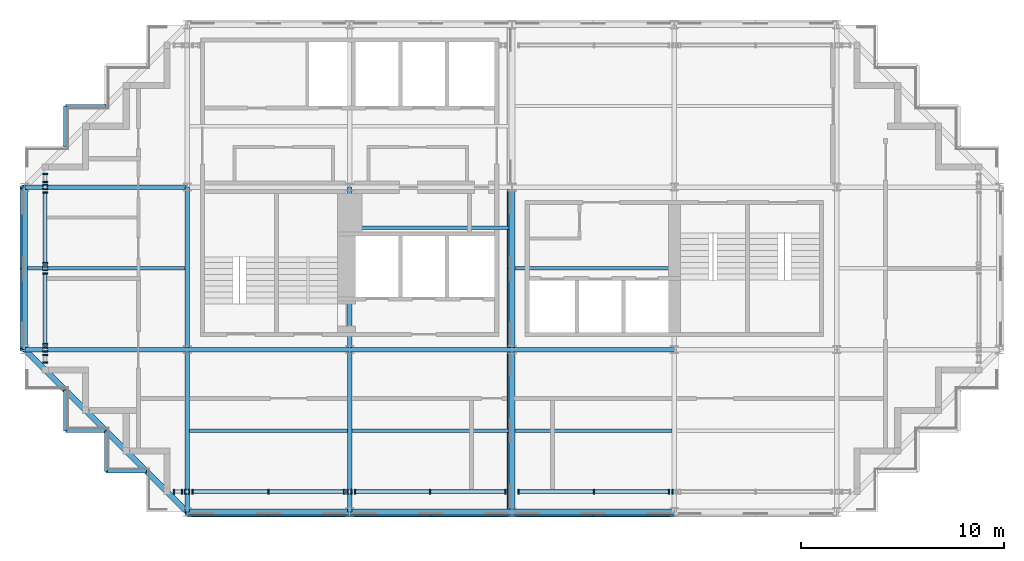
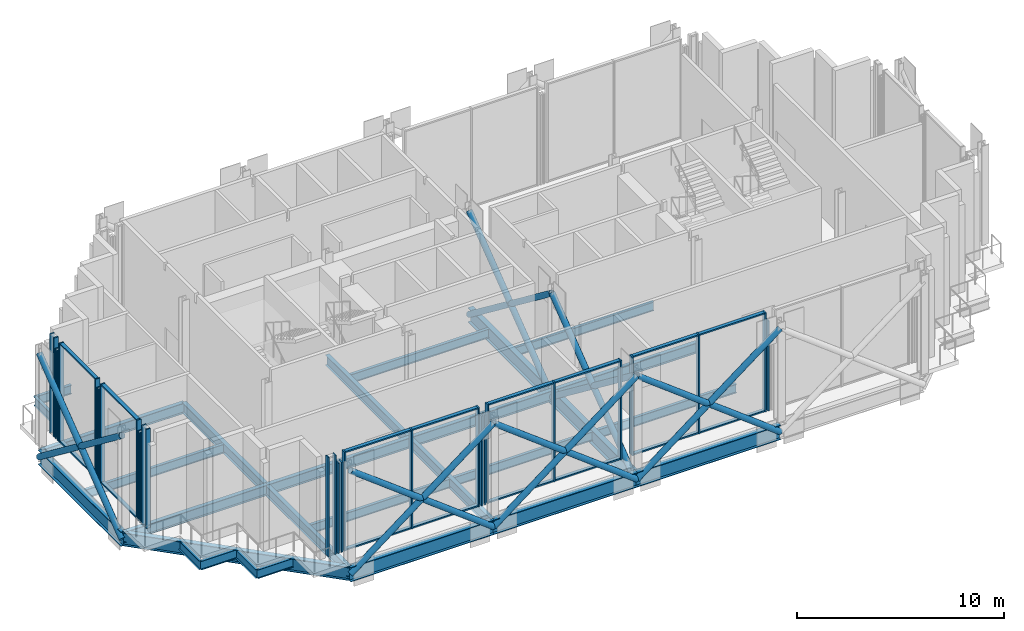
# One storey, part 2 of 16: 58 members, 28 beams, 14 elements without a shape of their own.
"""IFC4 building model written with IfcOpenShell, lengths in metres."""

from ifc_helpers import new_model, si_unit, direction, frame, origin, origin_2d, place, context, subcontext, project, spatial, rectangle, hollow_circle, i_section, extrude, material, material_profile, profile_set, type_object, element, aggregate, save


model = new_model("IFC4")

# Units and contexts
model_context = context("Model", 3, precision=1e-05, world=origin(), true_north=direction((0.0, 1.0)))
body_context = subcontext(model_context, "Body", "Model", "MODEL_VIEW")
ifc_project = project(units=[si_unit("LENGTHUNIT", "METRE"), si_unit("AREAUNIT", "SQUARE_METRE"), si_unit("VOLUMEUNIT", "CUBIC_METRE"), si_unit("PLANEANGLEUNIT", "RADIAN"), si_unit("MASSUNIT", "GRAM", prefix="KILO")], contexts=[model_context])

# Site, building, storey
site_placement = place(None, origin())
site = spatial("IfcSite", under=ifc_project, at=site_placement, CompositionType="ELEMENT")
building_placement = place(site_placement, origin())
building = spatial("IfcBuilding", under=site, at=building_placement, Name="Immortelle Media Tower", CompositionType="ELEMENT")
storey_placement = place(building_placement, frame((0.0, 0.0, 241.0)))
storey = spatial("IfcBuildingStorey", under=building, at=storey_placement, Name="L52", CompositionType="ELEMENT", Elevation=241.0)

# Members
ifc_material_1 = material(Name="Steel ASTM A500 Gr C", Category="steel")
ifc_material_profile_1 = material_profile(ifc_material_1, hollow_circle(Radius=0.162109375, WallThickness=0.011962890625, at=origin_2d()), Name="HSS12.750x0.500 truss diagonal")
ifc_profile_set_1 = profile_set([ifc_material_profile_1], Name="Steel ASTM A500 Gr C")
member_type_1 = type_object("IfcMemberType", Name="HSS12.750x0.500 truss diagonal", PredefinedType="BRACE", material=ifc_profile_set_1)
for number, where, z_axis, x_axis, name in (
    (1, (-0.072021484375, 8.0, -0.679443359375), (0.0, 0.794660608453, 0.607053965783), (-1.0, 0.0, 0.0), "Belt truss 1/B-C A"),
    (2, (-0.072021484375, 8.0, 5.431884765625), (0.0, 0.794660608453, -0.607053965783), (-1.0, 0.0, 0.0), "Belt truss 1/B-C B"),
    (3, (8.0, -0.072021484375, -0.679443359375), (0.794660608453, 0.0, 0.607053965783), (0.0, 1.0, 0.0), "Belt truss A/2-3 A"),
    (4, (8.0, -0.072021484375, 5.431884765625), (0.794660608453, 0.0, -0.607053965783), (0.0, 1.0, 0.0), "Belt truss A/2-3 B"),
    (5, (16.0, -0.072021484375, -0.679443359375), (0.794660608453, 0.0, 0.607053965783), (0.0, 1.0, 0.0), "Belt truss A/3-4 A"),
    (6, (16.0, -0.072021484375, 5.431884765625), (0.794660608453, 0.0, -0.607053965783), (0.0, 1.0, 0.0), "Belt truss A/3-4 B"),
    (7, (24.0, -0.072021484375, -0.679443359375), (0.794660608453, 0.0, 0.607053965783), (0.0, 1.0, 0.0), "Belt truss A/4-5 A"),
    (8, (24.0, -0.072021484375, 5.431884765625), (0.794660608453, 0.0, -0.607053965783), (0.0, 1.0, 0.0), "Belt truss A/4-5 B"),
    (9, (23.927978515625, 0.0, -0.679443359375), (0.0, 0.794660608453, 0.607053965783), (-1.0, 0.0, 0.0), "Belt truss 4/A-B A"),
    (10, (23.927978515625, 0.0, 5.431884765625), (0.0, 0.794660608453, -0.607053965783), (-1.0, 0.0, 0.0), "Belt truss 4/A-B B"),
    (11, (23.927978515625, 8.0, -0.679443359375), (0.0, 0.794660608453, 0.607053965783), (-1.0, 0.0, 0.0), "Belt truss 4/B-C A"),
    (12, (23.927978515625, 8.0, 5.431884765625), (0.0, 0.794660608453, -0.607053965783), (-1.0, 0.0, 0.0), "Belt truss 4/B-C B"),
):
    element("IfcMember", number, at=place(storey_placement, frame(where, z_axis=z_axis, x_axis=x_axis)), inside=storey, type_object=member_type_1, Name=name, PredefinedType="BRACE", context=body_context, shape_type="SweptSolid", body=[
        extrude(hollow_circle(Radius=0.162109375, WallThickness=0.011962890625, at=origin_2d()), origin(), (0.0, 0.0, 1.0), 10.067138671875),
    ])

# Curtain wall, members
ifc_material_2 = material(Name="Aluminium curtain wall system", Category="aluminium")
curtain_wall_type = type_object("IfcCurtainWallType", Name="Plant louvre wall curtain wall", PredefinedType="NOTDEFINED", material=ifc_material_2)
curtain_wall_1_placement = place(storey_placement, origin())
curtain_wall_1 = element("IfcCurtainWall", 13, at=curtain_wall_1_placement, inside=storey, type_object=curtain_wall_type, Name="Plant louvre wall L52 S 7-2", PredefinedType="NOTDEFINED")
ifc_material_3 = material(Name="Aluminium 6063-T6", Category="aluminium")
ifc_material_profile_2 = material_profile(ifc_material_3, rectangle(XDim=0.25, YDim=0.080078125, at=origin_2d()), Name="AL 80x250")
ifc_profile_set_2 = profile_set([ifc_material_profile_2], Name="Aluminium 6063-T6")
member_type_2 = type_object("IfcMemberType", Name="Plant louvre wall mullion 80 x 250", PredefinedType="MULLION", material=ifc_profile_set_2)
member_1_placement = place(storey_placement, frame((7.35888671875, 1.0, 0.0), z_axis=(0.0, 0.0, 1.0), x_axis=(0.0, 1.0, 0.0)))
member_1 = element("IfcMember", 14, at=member_1_placement, type_object=member_type_2, Name="CW6 mullion 1", PredefinedType="MULLION", context=body_context, shape_type="SweptSolid", body=[
    extrude(rectangle(XDim=0.25, YDim=0.080078125, at=origin_2d()), origin(), (0.0, 0.0, 1.0), 5.849609375),
])
member_2_placement = place(storey_placement, frame((7.736572265625, 1.0, 0.0), z_axis=(0.0, 0.0, 1.0), x_axis=(0.0, 1.0, 0.0)))
member_2 = element("IfcMember", 15, at=member_2_placement, type_object=member_type_2, Name="CW6 mullion 2", PredefinedType="MULLION", context=body_context, shape_type="SweptSolid", body=[
    extrude(rectangle(XDim=0.25, YDim=0.080078125, at=origin_2d()), origin(), (0.0, 0.0, 1.0), 5.849609375),
])
aggregate(curtain_wall_1, [member_1, member_2])

curtain_wall_2_placement = place(storey_placement, origin())
curtain_wall_2 = element("IfcCurtainWall", 16, at=curtain_wall_2_placement, inside=storey, type_object=curtain_wall_type, Name="Plant louvre wall L52 S 7-3", PredefinedType="NOTDEFINED")
member_3_placement = place(storey_placement, frame((7.906494140625, 1.0, 0.0), z_axis=(0.0, 0.0, 1.0), x_axis=(0.0, 1.0, 0.0)))
member_3 = element("IfcMember", 17, at=member_3_placement, type_object=member_type_2, Name="CW6 mullion 1", PredefinedType="MULLION", context=body_context, shape_type="SweptSolid", body=[
    extrude(rectangle(XDim=0.25, YDim=0.080078125, at=origin_2d()), origin(), (0.0, 0.0, 1.0), 5.3134765625),
])
member_4_placement = place(storey_placement, frame((8.093505859375, 1.0, 0.0), z_axis=(0.0, 0.0, 1.0), x_axis=(0.0, 1.0, 0.0)))
member_4 = element("IfcMember", 18, at=member_4_placement, type_object=member_type_2, Name="CW6 mullion 2", PredefinedType="MULLION", context=body_context, shape_type="SweptSolid", body=[
    extrude(rectangle(XDim=0.25, YDim=0.080078125, at=origin_2d()), origin(), (0.0, 0.0, 1.0), 5.3134765625),
])
aggregate(curtain_wall_2, [member_3, member_4])

curtain_wall_3_placement = place(storey_placement, origin())
curtain_wall_3 = element("IfcCurtainWall", 19, at=curtain_wall_3_placement, inside=storey, type_object=curtain_wall_type, Name="Plant louvre wall L52 S 7-4", PredefinedType="NOTDEFINED")
member_5_placement = place(storey_placement, frame((8.263427734375, 1.0, 0.0), z_axis=(0.0, 0.0, 1.0), x_axis=(0.0, 1.0, 0.0)))
member_5 = element("IfcMember", 20, at=member_5_placement, type_object=member_type_2, Name="CW6 mullion 1", PredefinedType="MULLION", context=body_context, shape_type="SweptSolid", body=[
    extrude(rectangle(XDim=0.25, YDim=0.080078125, at=origin_2d()), origin(), (0.0, 0.0, 1.0), 5.849609375),
])
member_6_placement = place(storey_placement, frame((12.0, 1.0, 0.0), z_axis=(0.0, 0.0, 1.0), x_axis=(0.0, 1.0, 0.0)))
member_6 = element("IfcMember", 21, at=member_6_placement, type_object=member_type_2, Name="CW6 mullion 2", PredefinedType="MULLION", context=body_context, shape_type="SweptSolid", body=[
    extrude(rectangle(XDim=0.25, YDim=0.080078125, at=origin_2d()), origin(), (0.0, 0.0, 1.0), 5.849609375),
])
member_7_placement = place(storey_placement, frame((15.736572265625, 1.0, 0.0), z_axis=(0.0, 0.0, 1.0), x_axis=(0.0, 1.0, 0.0)))
member_7 = element("IfcMember", 22, at=member_7_placement, type_object=member_type_2, Name="CW6 mullion 3", PredefinedType="MULLION", context=body_context, shape_type="SweptSolid", body=[
    extrude(rectangle(XDim=0.25, YDim=0.080078125, at=origin_2d()), origin(), (0.0, 0.0, 1.0), 5.849609375),
])

curtain_wall_4_placement = place(storey_placement, origin())
curtain_wall_4 = element("IfcCurtainWall", 23, at=curtain_wall_4_placement, inside=storey, type_object=curtain_wall_type, Name="Plant louvre wall L52 S 7-5", PredefinedType="NOTDEFINED")
member_8_placement = place(storey_placement, frame((15.906494140625, 1.0, 0.0), z_axis=(0.0, 0.0, 1.0), x_axis=(0.0, 1.0, 0.0)))
member_8 = element("IfcMember", 24, at=member_8_placement, type_object=member_type_2, Name="CW6 mullion 1", PredefinedType="MULLION", context=body_context, shape_type="SweptSolid", body=[
    extrude(rectangle(XDim=0.25, YDim=0.080078125, at=origin_2d()), origin(), (0.0, 0.0, 1.0), 5.3134765625),
])
member_9_placement = place(storey_placement, frame((16.093505859375, 1.0, 0.0), z_axis=(0.0, 0.0, 1.0), x_axis=(0.0, 1.0, 0.0)))
member_9 = element("IfcMember", 25, at=member_9_placement, type_object=member_type_2, Name="CW6 mullion 2", PredefinedType="MULLION", context=body_context, shape_type="SweptSolid", body=[
    extrude(rectangle(XDim=0.25, YDim=0.080078125, at=origin_2d()), origin(), (0.0, 0.0, 1.0), 5.3134765625),
])
aggregate(curtain_wall_4, [member_8, member_9])

curtain_wall_5_placement = place(storey_placement, origin())
curtain_wall_5 = element("IfcCurtainWall", 26, at=curtain_wall_5_placement, inside=storey, type_object=curtain_wall_type, Name="Plant louvre wall L52 S 7-6", PredefinedType="NOTDEFINED")
member_10_placement = place(storey_placement, frame((16.263427734375, 1.0, 0.0), z_axis=(0.0, 0.0, 1.0), x_axis=(0.0, 1.0, 0.0)))
member_10 = element("IfcMember", 27, at=member_10_placement, type_object=member_type_2, Name="CW6 mullion 1", PredefinedType="MULLION", context=body_context, shape_type="SweptSolid", body=[
    extrude(rectangle(XDim=0.25, YDim=0.080078125, at=origin_2d()), origin(), (0.0, 0.0, 1.0), 5.849609375),
])
member_11_placement = place(storey_placement, frame((19.96875, 1.0, 0.0), z_axis=(0.0, 0.0, 1.0), x_axis=(0.0, 1.0, 0.0)))
member_11 = element("IfcMember", 28, at=member_11_placement, type_object=member_type_2, Name="CW6 mullion 2", PredefinedType="MULLION", context=body_context, shape_type="SweptSolid", body=[
    extrude(rectangle(XDim=0.25, YDim=0.080078125, at=origin_2d()), origin(), (0.0, 0.0, 1.0), 5.849609375),
])
member_12_placement = place(storey_placement, frame((23.674072265625, 1.0, 0.0), z_axis=(0.0, 0.0, 1.0), x_axis=(0.0, 1.0, 0.0)))
member_12 = element("IfcMember", 29, at=member_12_placement, type_object=member_type_2, Name="CW6 mullion 3", PredefinedType="MULLION", context=body_context, shape_type="SweptSolid", body=[
    extrude(rectangle(XDim=0.25, YDim=0.080078125, at=origin_2d()), origin(), (0.0, 0.0, 1.0), 5.849609375),
])

curtain_wall_6_placement = place(storey_placement, origin())
curtain_wall_6 = element("IfcCurtainWall", 30, at=curtain_wall_6_placement, inside=storey, type_object=curtain_wall_type, Name="Plant louvre wall L52 S 7-7", PredefinedType="NOTDEFINED")
member_13_placement = place(storey_placement, frame((24.325927734375, 1.0, 0.0), z_axis=(0.0, 0.0, 1.0), x_axis=(0.0, 1.0, 0.0)))
member_13 = element("IfcMember", 31, at=member_13_placement, type_object=member_type_2, Name="CW6 mullion 1", PredefinedType="MULLION", context=body_context, shape_type="SweptSolid", body=[
    extrude(rectangle(XDim=0.25, YDim=0.080078125, at=origin_2d()), origin(), (0.0, 0.0, 1.0), 5.849609375),
])
member_14_placement = place(storey_placement, frame((28.03125, 1.0, 0.0), z_axis=(0.0, 0.0, 1.0), x_axis=(0.0, 1.0, 0.0)))
member_14 = element("IfcMember", 32, at=member_14_placement, type_object=member_type_2, Name="CW6 mullion 2", PredefinedType="MULLION", context=body_context, shape_type="SweptSolid", body=[
    extrude(rectangle(XDim=0.25, YDim=0.080078125, at=origin_2d()), origin(), (0.0, 0.0, 1.0), 5.849609375),
])
member_15_placement = place(storey_placement, frame((31.736572265625, 1.0, 0.0), z_axis=(0.0, 0.0, 1.0), x_axis=(0.0, 1.0, 0.0)))
member_15 = element("IfcMember", 33, at=member_15_placement, type_object=member_type_2, Name="CW6 mullion 3", PredefinedType="MULLION", context=body_context, shape_type="SweptSolid", body=[
    extrude(rectangle(XDim=0.25, YDim=0.080078125, at=origin_2d()), origin(), (0.0, 0.0, 1.0), 5.849609375),
])

# Curtain wall, member
curtain_wall_7_placement = place(storey_placement, origin())
curtain_wall_7 = element("IfcCurtainWall", 34, at=curtain_wall_7_placement, inside=storey, type_object=curtain_wall_type, Name="Plant louvre wall L52 S 7-8", PredefinedType="NOTDEFINED")
member_16_placement = place(storey_placement, frame((31.906494140625, 1.0, 0.0), z_axis=(0.0, 0.0, 1.0), x_axis=(0.0, 1.0, 0.0)))
member_16 = element("IfcMember", 35, at=member_16_placement, type_object=member_type_2, Name="CW6 mullion 1", PredefinedType="MULLION", context=body_context, shape_type="SweptSolid", body=[
    extrude(rectangle(XDim=0.25, YDim=0.080078125, at=origin_2d()), origin(), (0.0, 0.0, 1.0), 5.3134765625),
])
aggregate(curtain_wall_7, [member_16])

# Curtain wall, members
curtain_wall_8_placement = place(storey_placement, origin())
curtain_wall_8 = element("IfcCurtainWall", 36, at=curtain_wall_8_placement, inside=storey, type_object=curtain_wall_type, Name="Plant louvre wall L52 W 28-2", PredefinedType="NOTDEFINED")
member_17_placement = place(storey_placement, frame((1.0, 16.64111328125, 0.0), z_axis=(0.0, 0.0, 1.0), x_axis=(1.0, 0.0, 0.0)))
member_17 = element("IfcMember", 37, at=member_17_placement, type_object=member_type_2, Name="CW6 mullion 1", PredefinedType="MULLION", context=body_context, shape_type="SweptSolid", body=[
    extrude(rectangle(XDim=0.25, YDim=0.080078125, at=origin_2d()), origin(), (0.0, 0.0, 1.0), 5.849609375),
])
member_18_placement = place(storey_placement, frame((1.0, 16.263427734375, 0.0), z_axis=(0.0, 0.0, 1.0), x_axis=(1.0, 0.0, 0.0)))
member_18 = element("IfcMember", 38, at=member_18_placement, type_object=member_type_2, Name="CW6 mullion 2", PredefinedType="MULLION", context=body_context, shape_type="SweptSolid", body=[
    extrude(rectangle(XDim=0.25, YDim=0.080078125, at=origin_2d()), origin(), (0.0, 0.0, 1.0), 5.849609375),
])
aggregate(curtain_wall_8, [member_17, member_18])

curtain_wall_9_placement = place(storey_placement, origin())
curtain_wall_9 = element("IfcCurtainWall", 39, at=curtain_wall_9_placement, inside=storey, type_object=curtain_wall_type, Name="Plant louvre wall L52 W 28-3", PredefinedType="NOTDEFINED")
member_19_placement = place(storey_placement, frame((1.0, 16.093505859375, 0.0), z_axis=(0.0, 0.0, 1.0), x_axis=(1.0, 0.0, 0.0)))
member_19 = element("IfcMember", 40, at=member_19_placement, type_object=member_type_2, Name="CW6 mullion 1", PredefinedType="MULLION", context=body_context, shape_type="SweptSolid", body=[
    extrude(rectangle(XDim=0.25, YDim=0.080078125, at=origin_2d()), origin(), (0.0, 0.0, 1.0), 5.3134765625),
])
member_20_placement = place(storey_placement, frame((1.0, 15.906494140625, 0.0), z_axis=(0.0, 0.0, 1.0), x_axis=(1.0, 0.0, 0.0)))
member_20 = element("IfcMember", 41, at=member_20_placement, type_object=member_type_2, Name="CW6 mullion 2", PredefinedType="MULLION", context=body_context, shape_type="SweptSolid", body=[
    extrude(rectangle(XDim=0.25, YDim=0.080078125, at=origin_2d()), origin(), (0.0, 0.0, 1.0), 5.3134765625),
])
aggregate(curtain_wall_9, [member_19, member_20])

curtain_wall_10_placement = place(storey_placement, origin())
curtain_wall_10 = element("IfcCurtainWall", 42, at=curtain_wall_10_placement, inside=storey, type_object=curtain_wall_type, Name="Plant louvre wall L52 W 28-4", PredefinedType="NOTDEFINED")
member_21_placement = place(storey_placement, frame((1.0, 15.736572265625, 0.0), z_axis=(0.0, 0.0, 1.0), x_axis=(1.0, 0.0, 0.0)))
member_21 = element("IfcMember", 43, at=member_21_placement, type_object=member_type_2, Name="CW6 mullion 1", PredefinedType="MULLION", context=body_context, shape_type="SweptSolid", body=[
    extrude(rectangle(XDim=0.25, YDim=0.080078125, at=origin_2d()), origin(), (0.0, 0.0, 1.0), 5.849609375),
])
member_22_placement = place(storey_placement, frame((1.0, 12.25, 0.0), z_axis=(0.0, 0.0, 1.0), x_axis=(1.0, 0.0, 0.0)))
member_22 = element("IfcMember", 44, at=member_22_placement, type_object=member_type_2, Name="CW6 mullion 2", PredefinedType="MULLION", context=body_context, shape_type="SweptSolid", body=[
    extrude(rectangle(XDim=0.25, YDim=0.080078125, at=origin_2d()), origin(), (0.0, 0.0, 1.0), 5.849609375),
])

curtain_wall_11_placement = place(storey_placement, origin())
curtain_wall_11 = element("IfcCurtainWall", 45, at=curtain_wall_11_placement, inside=storey, type_object=curtain_wall_type, Name="Plant louvre wall L52 W 28-5", PredefinedType="NOTDEFINED")
member_23_placement = place(storey_placement, frame((1.0, 12.080078125, 0.0), z_axis=(0.0, 0.0, 1.0), x_axis=(1.0, 0.0, 0.0)))
member_23 = element("IfcMember", 46, at=member_23_placement, type_object=member_type_2, Name="CW6 mullion 1", PredefinedType="MULLION", context=body_context, shape_type="SweptSolid", body=[
    extrude(rectangle(XDim=0.25, YDim=0.080078125, at=origin_2d()), origin(), (0.0, 0.0, 1.0), 5.445556640625),
])
member_24_placement = place(storey_placement, frame((1.0, 11.919921875, 0.0), z_axis=(0.0, 0.0, 1.0), x_axis=(1.0, 0.0, 0.0)))
member_24 = element("IfcMember", 47, at=member_24_placement, type_object=member_type_2, Name="CW6 mullion 2", PredefinedType="MULLION", context=body_context, shape_type="SweptSolid", body=[
    extrude(rectangle(XDim=0.25, YDim=0.080078125, at=origin_2d()), origin(), (0.0, 0.0, 1.0), 5.445556640625),
])
aggregate(curtain_wall_11, [member_23, member_24])

curtain_wall_12_placement = place(storey_placement, origin())
curtain_wall_12 = element("IfcCurtainWall", 48, at=curtain_wall_12_placement, inside=storey, type_object=curtain_wall_type, Name="Plant louvre wall L52 W 28-6", PredefinedType="NOTDEFINED")
member_25_placement = place(storey_placement, frame((1.0, 11.75, 0.0), z_axis=(0.0, 0.0, 1.0), x_axis=(1.0, 0.0, 0.0)))
member_25 = element("IfcMember", 49, at=member_25_placement, type_object=member_type_2, Name="CW6 mullion 1", PredefinedType="MULLION", context=body_context, shape_type="SweptSolid", body=[
    extrude(rectangle(XDim=0.25, YDim=0.080078125, at=origin_2d()), origin(), (0.0, 0.0, 1.0), 5.849609375),
])
member_26_placement = place(storey_placement, frame((1.0, 8.263427734375, 0.0), z_axis=(0.0, 0.0, 1.0), x_axis=(1.0, 0.0, 0.0)))
member_26 = element("IfcMember", 50, at=member_26_placement, type_object=member_type_2, Name="CW6 mullion 2", PredefinedType="MULLION", context=body_context, shape_type="SweptSolid", body=[
    extrude(rectangle(XDim=0.25, YDim=0.080078125, at=origin_2d()), origin(), (0.0, 0.0, 1.0), 5.849609375),
])

curtain_wall_13_placement = place(storey_placement, origin())
curtain_wall_13 = element("IfcCurtainWall", 51, at=curtain_wall_13_placement, inside=storey, type_object=curtain_wall_type, Name="Plant louvre wall L52 W 28-7", PredefinedType="NOTDEFINED")
member_27_placement = place(storey_placement, frame((1.0, 8.093505859375, 0.0), z_axis=(0.0, 0.0, 1.0), x_axis=(1.0, 0.0, 0.0)))
member_27 = element("IfcMember", 52, at=member_27_placement, type_object=member_type_2, Name="CW6 mullion 1", PredefinedType="MULLION", context=body_context, shape_type="SweptSolid", body=[
    extrude(rectangle(XDim=0.25, YDim=0.080078125, at=origin_2d()), origin(), (0.0, 0.0, 1.0), 5.3134765625),
])
member_28_placement = place(storey_placement, frame((1.0, 7.906494140625, 0.0), z_axis=(0.0, 0.0, 1.0), x_axis=(1.0, 0.0, 0.0)))
member_28 = element("IfcMember", 53, at=member_28_placement, type_object=member_type_2, Name="CW6 mullion 2", PredefinedType="MULLION", context=body_context, shape_type="SweptSolid", body=[
    extrude(rectangle(XDim=0.25, YDim=0.080078125, at=origin_2d()), origin(), (0.0, 0.0, 1.0), 5.3134765625),
])
aggregate(curtain_wall_13, [member_27, member_28])

curtain_wall_14_placement = place(storey_placement, origin())
curtain_wall_14 = element("IfcCurtainWall", 54, at=curtain_wall_14_placement, inside=storey, type_object=curtain_wall_type, Name="Plant louvre wall L52 W 28-8", PredefinedType="NOTDEFINED")
member_29_placement = place(storey_placement, frame((1.0, 7.736572265625, 0.0), z_axis=(0.0, 0.0, 1.0), x_axis=(1.0, 0.0, 0.0)))
member_29 = element("IfcMember", 55, at=member_29_placement, type_object=member_type_2, Name="CW6 mullion 1", PredefinedType="MULLION", context=body_context, shape_type="SweptSolid", body=[
    extrude(rectangle(XDim=0.25, YDim=0.080078125, at=origin_2d()), origin(), (0.0, 0.0, 1.0), 5.849609375),
])
member_30_placement = place(storey_placement, frame((1.0, 7.35888671875, 0.0), z_axis=(0.0, 0.0, 1.0), x_axis=(1.0, 0.0, 0.0)))
member_30 = element("IfcMember", 56, at=member_30_placement, type_object=member_type_2, Name="CW6 mullion 2", PredefinedType="MULLION", context=body_context, shape_type="SweptSolid", body=[
    extrude(rectangle(XDim=0.25, YDim=0.080078125, at=origin_2d()), origin(), (0.0, 0.0, 1.0), 5.849609375),
])
aggregate(curtain_wall_14, [member_29, member_30])

# Member
ifc_material_profile_3 = material_profile(ifc_material_3, rectangle(XDim=0.199951171875, YDim=0.080078125, at=origin_2d()), Name="AL 80x200")
ifc_profile_set_3 = profile_set([ifc_material_profile_3], Name="Aluminium 6063-T6")
member_type_3 = type_object("IfcMemberType", Name="Plant louvre wall transom 80 x 200", PredefinedType="USERDEFINED", material=ifc_profile_set_3)
member_31_placement = place(storey_placement, frame((8.303466796875, 1.0, 0.0400390625), z_axis=(1.0, 0.0, 0.0), x_axis=(0.0, 1.0, 0.0)))
member_31 = element("IfcMember", 57, at=member_31_placement, type_object=member_type_3, Name="CW6 transom 1.1", ObjectType="TRANSOM", PredefinedType="USERDEFINED", context=body_context, shape_type="SweptSolid", body=[
    extrude(rectangle(XDim=0.199951171875, YDim=0.080078125, at=origin_2d()), origin(), (0.0, 0.0, 1.0), 3.656494140625),
])

member_32_placement = place(storey_placement, frame((8.303466796875, 1.0, 5.8095703125), z_axis=(1.0, 0.0, 0.0), x_axis=(0.0, 1.0, 0.0)))
member_32 = element("IfcMember", 58, at=member_32_placement, type_object=member_type_3, Name="CW6 transom 1.2", ObjectType="TRANSOM", PredefinedType="USERDEFINED", context=body_context, shape_type="SweptSolid", body=[
    extrude(rectangle(XDim=0.199951171875, YDim=0.080078125, at=origin_2d()), origin(), (0.0, 0.0, 1.0), 3.656494140625),
])

member_33_placement = place(storey_placement, frame((12.0400390625, 1.0, 0.0400390625), z_axis=(1.0, 0.0, 0.0), x_axis=(0.0, 1.0, 0.0)))
member_33 = element("IfcMember", 59, at=member_33_placement, type_object=member_type_3, Name="CW6 transom 2.1", ObjectType="TRANSOM", PredefinedType="USERDEFINED", context=body_context, shape_type="SweptSolid", body=[
    extrude(rectangle(XDim=0.199951171875, YDim=0.080078125, at=origin_2d()), origin(), (0.0, 0.0, 1.0), 3.656494140625),
])

member_34_placement = place(storey_placement, frame((12.0400390625, 1.0, 5.8095703125), z_axis=(1.0, 0.0, 0.0), x_axis=(0.0, 1.0, 0.0)))
member_34 = element("IfcMember", 60, at=member_34_placement, type_object=member_type_3, Name="CW6 transom 2.2", ObjectType="TRANSOM", PredefinedType="USERDEFINED", context=body_context, shape_type="SweptSolid", body=[
    extrude(rectangle(XDim=0.199951171875, YDim=0.080078125, at=origin_2d()), origin(), (0.0, 0.0, 1.0), 3.656494140625),
])

aggregate(curtain_wall_3, [member_5, member_6, member_7, member_31, member_32, member_33, member_34])

member_35_placement = place(storey_placement, frame((16.303466796875, 1.0, 0.0400390625), z_axis=(1.0, 0.0, 0.0), x_axis=(0.0, 1.0, 0.0)))
member_35 = element("IfcMember", 61, at=member_35_placement, type_object=member_type_3, Name="CW6 transom 1.1", ObjectType="TRANSOM", PredefinedType="USERDEFINED", context=body_context, shape_type="SweptSolid", body=[
    extrude(rectangle(XDim=0.199951171875, YDim=0.080078125, at=origin_2d()), origin(), (0.0, 0.0, 1.0), 3.625244140625),
])

member_36_placement = place(storey_placement, frame((16.303466796875, 1.0, 5.8095703125), z_axis=(1.0, 0.0, 0.0), x_axis=(0.0, 1.0, 0.0)))
member_36 = element("IfcMember", 62, at=member_36_placement, type_object=member_type_3, Name="CW6 transom 1.2", ObjectType="TRANSOM", PredefinedType="USERDEFINED", context=body_context, shape_type="SweptSolid", body=[
    extrude(rectangle(XDim=0.199951171875, YDim=0.080078125, at=origin_2d()), origin(), (0.0, 0.0, 1.0), 3.625244140625),
])

member_37_placement = place(storey_placement, frame((20.0087890625, 1.0, 0.0400390625), z_axis=(1.0, 0.0, 0.0), x_axis=(0.0, 1.0, 0.0)))
member_37 = element("IfcMember", 63, at=member_37_placement, type_object=member_type_3, Name="CW6 transom 2.1", ObjectType="TRANSOM", PredefinedType="USERDEFINED", context=body_context, shape_type="SweptSolid", body=[
    extrude(rectangle(XDim=0.199951171875, YDim=0.080078125, at=origin_2d()), origin(), (0.0, 0.0, 1.0), 3.625244140625),
])

member_38_placement = place(storey_placement, frame((20.0087890625, 1.0, 5.8095703125), z_axis=(1.0, 0.0, 0.0), x_axis=(0.0, 1.0, 0.0)))
member_38 = element("IfcMember", 64, at=member_38_placement, type_object=member_type_3, Name="CW6 transom 2.2", ObjectType="TRANSOM", PredefinedType="USERDEFINED", context=body_context, shape_type="SweptSolid", body=[
    extrude(rectangle(XDim=0.199951171875, YDim=0.080078125, at=origin_2d()), origin(), (0.0, 0.0, 1.0), 3.625244140625),
])

aggregate(curtain_wall_5, [member_10, member_11, member_12, member_35, member_36, member_37, member_38])

member_39_placement = place(storey_placement, frame((24.365966796875, 1.0, 0.0400390625), z_axis=(1.0, 0.0, 0.0), x_axis=(0.0, 1.0, 0.0)))
member_39 = element("IfcMember", 65, at=member_39_placement, type_object=member_type_3, Name="CW6 transom 1.1", ObjectType="TRANSOM", PredefinedType="USERDEFINED", context=body_context, shape_type="SweptSolid", body=[
    extrude(rectangle(XDim=0.199951171875, YDim=0.080078125, at=origin_2d()), origin(), (0.0, 0.0, 1.0), 3.625244140625),
])

member_40_placement = place(storey_placement, frame((24.365966796875, 1.0, 5.8095703125), z_axis=(1.0, 0.0, 0.0), x_axis=(0.0, 1.0, 0.0)))
member_40 = element("IfcMember", 66, at=member_40_placement, type_object=member_type_3, Name="CW6 transom 1.2", ObjectType="TRANSOM", PredefinedType="USERDEFINED", context=body_context, shape_type="SweptSolid", body=[
    extrude(rectangle(XDim=0.199951171875, YDim=0.080078125, at=origin_2d()), origin(), (0.0, 0.0, 1.0), 3.625244140625),
])

member_41_placement = place(storey_placement, frame((28.0712890625, 1.0, 0.0400390625), z_axis=(1.0, 0.0, 0.0), x_axis=(0.0, 1.0, 0.0)))
member_41 = element("IfcMember", 67, at=member_41_placement, type_object=member_type_3, Name="CW6 transom 2.1", ObjectType="TRANSOM", PredefinedType="USERDEFINED", context=body_context, shape_type="SweptSolid", body=[
    extrude(rectangle(XDim=0.199951171875, YDim=0.080078125, at=origin_2d()), origin(), (0.0, 0.0, 1.0), 3.625244140625),
])

member_42_placement = place(storey_placement, frame((28.0712890625, 1.0, 5.8095703125), z_axis=(1.0, 0.0, 0.0), x_axis=(0.0, 1.0, 0.0)))
member_42 = element("IfcMember", 68, at=member_42_placement, type_object=member_type_3, Name="CW6 transom 2.2", ObjectType="TRANSOM", PredefinedType="USERDEFINED", context=body_context, shape_type="SweptSolid", body=[
    extrude(rectangle(XDim=0.199951171875, YDim=0.080078125, at=origin_2d()), origin(), (0.0, 0.0, 1.0), 3.625244140625),
])

aggregate(curtain_wall_6, [member_13, member_14, member_15, member_39, member_40, member_41, member_42])

member_43_placement = place(storey_placement, frame((1.0, 15.696533203125, 0.0400390625), z_axis=(0.0, -1.0, 0.0), x_axis=(1.0, 0.0, 0.0)))
member_43 = element("IfcMember", 69, at=member_43_placement, type_object=member_type_3, Name="CW6 transom 1.1", ObjectType="TRANSOM", PredefinedType="USERDEFINED", context=body_context, shape_type="SweptSolid", body=[
    extrude(rectangle(XDim=0.199951171875, YDim=0.080078125, at=origin_2d()), origin(), (0.0, 0.0, 1.0), 3.406494140625),
])

member_44_placement = place(storey_placement, frame((1.0, 15.696533203125, 5.8095703125), z_axis=(0.0, -1.0, 0.0), x_axis=(1.0, 0.0, 0.0)))
member_44 = element("IfcMember", 70, at=member_44_placement, type_object=member_type_3, Name="CW6 transom 1.2", ObjectType="TRANSOM", PredefinedType="USERDEFINED", context=body_context, shape_type="SweptSolid", body=[
    extrude(rectangle(XDim=0.199951171875, YDim=0.080078125, at=origin_2d()), origin(), (0.0, 0.0, 1.0), 3.406494140625),
])

aggregate(curtain_wall_10, [member_21, member_22, member_43, member_44])

member_45_placement = place(storey_placement, frame((1.0, 11.7099609375, 0.0400390625), z_axis=(0.0, -1.0, 0.0), x_axis=(1.0, 0.0, 0.0)))
member_45 = element("IfcMember", 71, at=member_45_placement, type_object=member_type_3, Name="CW6 transom 1.1", ObjectType="TRANSOM", PredefinedType="USERDEFINED", context=body_context, shape_type="SweptSolid", body=[
    extrude(rectangle(XDim=0.199951171875, YDim=0.080078125, at=origin_2d()), origin(), (0.0, 0.0, 1.0), 3.406494140625),
])

member_46_placement = place(storey_placement, frame((1.0, 11.7099609375, 5.8095703125), z_axis=(0.0, -1.0, 0.0), x_axis=(1.0, 0.0, 0.0)))
member_46 = element("IfcMember", 72, at=member_46_placement, type_object=member_type_3, Name="CW6 transom 1.2", ObjectType="TRANSOM", PredefinedType="USERDEFINED", context=body_context, shape_type="SweptSolid", body=[
    extrude(rectangle(XDim=0.199951171875, YDim=0.080078125, at=origin_2d()), origin(), (0.0, 0.0, 1.0), 3.406494140625),
])

aggregate(curtain_wall_12, [member_25, member_26, member_45, member_46])

# Beams
ifc_material_4 = material(Name="Steel ASTM A992 Gr 50", Category="steel")
ifc_material_profile_4 = material_profile(ifc_material_4, i_section(OverallWidth=0.1650390625, OverallDepth=0.52587890625, WebThickness=0.009033203125, FlangeThickness=0.010986328125, at=origin_2d()), Name="W21x44")
ifc_profile_set_4 = profile_set([ifc_material_profile_4], Name="Steel ASTM A992 Gr 50")
beam_type_1 = type_object("IfcBeamType", Name="W21x44 secondary beam", PredefinedType="JOIST", material=ifc_profile_set_4)
beam_1_placement = place(storey_placement, frame((8.114501953125, 4.0, -0.512939453125), z_axis=(1.0, 0.0, 0.0), x_axis=(0.0, 1.0, 0.0)))
element("IfcBeam", 73, at=beam_1_placement, inside=storey, type_object=beam_type_1, Name="Beam A-B/2-3", PredefinedType="JOIST", context=body_context, shape_type="SweptSolid", body=[
    extrude(i_section(OverallWidth=0.1650390625, OverallDepth=0.52587890625, WebThickness=0.009033203125, FlangeThickness=0.010986328125, at=origin_2d()), origin(), (0.0, 0.0, 1.0), 7.77099609375),
])
for number, where, z_axis, x_axis, name in (
    (74, (16.114501953125, 4.0, -0.512939453125), (1.0, 0.0, 0.0), (0.0, 1.0, 0.0), "Beam A-B/3-4"),
    (75, (24.14599609375, 4.0, -0.512939453125), (1.0, 0.0, 0.0), (0.0, 1.0, 0.0), "Beam A-B/4-5"),
    (76, (0.14599609375, 12.0, -0.512939453125), (1.0, 0.0, 0.0), (0.0, 1.0, 0.0), "Beam B-C/1-2"),
    (77, (16.114501953125, 14.0, -0.512939453125), (1.0, 0.0, 0.0), (0.0, 1.0, 0.0), "Beam B-C/3-4"),
    (78, (24.14599609375, 12.0, -0.512939453125), (1.0, 0.0, 0.0), (0.0, 1.0, 0.0), "Beam B-C/4-5"),
):
    element("IfcBeam", number, at=place(storey_placement, frame(where, z_axis=z_axis, x_axis=x_axis)), inside=storey, type_object=beam_type_1, Name=name, PredefinedType="JOIST", context=body_context, shape_type="SweptSolid", body=[
        extrude(i_section(OverallWidth=0.1650390625, OverallDepth=0.52587890625, WebThickness=0.009033203125, FlangeThickness=0.010986328125, at=origin_2d()), origin(), (0.0, 0.0, 1.0), 7.739501953125),
    ])
ifc_material_profile_5 = material_profile(ifc_material_4, i_section(OverallWidth=0.1650390625, OverallDepth=0.52587890625, WebThickness=0.009033203125, FlangeThickness=0.010986328125, at=origin_2d()), Name="W21x44")
ifc_profile_set_5 = profile_set([ifc_material_profile_5], Name="Steel ASTM A992 Gr 50")
beam_type_2 = type_object("IfcBeamType", Name="W21x44 serration edge beam", PredefinedType="SPANDREL", material=ifc_profile_set_5)
for number, where, z_axis, x_axis, name in (
    (79, (6.0, 2.0, -0.512939453125), (-1.0, 0.0, 0.0), (0.0, -1.0, 0.0), "Corner edge beam 1 at 1/A"),
    (80, (4.0, 2.0, -0.512939453125), (0.0, 1.0, 0.0), (-1.0, 0.0, 0.0), "Corner edge beam 2 at 1/A"),
    (81, (4.0, 4.0, -0.512939453125), (-1.0, 0.0, 0.0), (0.0, -1.0, 0.0), "Corner edge beam 3 at 1/A"),
    (82, (2.0, 4.0, -0.512939453125), (0.0, 1.0, 0.0), (-1.0, 0.0, 0.0), "Corner edge beam 4 at 1/A"),
    (83, (2.0, 18.0, -0.512939453125), (0.0, 1.0, 0.0), (-1.0, 0.0, 0.0), "Corner edge beam 1 at 1/D"),
    (84, (2.0, 20.0, -0.512939453125), (1.0, 0.0, 0.0), (0.0, 1.0, 0.0), "Corner edge beam 2 at 1/D"),
):
    element("IfcBeam", number, at=place(storey_placement, frame(where, z_axis=z_axis, x_axis=x_axis)), inside=storey, type_object=beam_type_2, Name=name, PredefinedType="SPANDREL", context=body_context, shape_type="SweptSolid", body=[
        extrude(i_section(OverallWidth=0.1650390625, OverallDepth=0.52587890625, WebThickness=0.009033203125, FlangeThickness=0.010986328125, at=origin_2d()), origin(), (0.0, 0.0, 1.0), 2.0),
    ])
ifc_material_profile_6 = material_profile(ifc_material_4, i_section(OverallWidth=0.22900390625, OverallDepth=0.612060546875, WebThickness=0.011962890625, FlangeThickness=0.02001953125, at=origin_2d()), Name="W24x84")
ifc_profile_set_6 = profile_set([ifc_material_profile_6], Name="Steel ASTM A992 Gr 50")
beam_type_3 = type_object("IfcBeamType", Name="W24x84 girder", PredefinedType="BEAM", material=ifc_profile_set_6)
for number, where, z_axis, x_axis, name in (
    (85, (0.0, 8.0, -0.555908203125), (1.0, 0.0, 0.0), (0.0, 1.0, 0.0), "Girder B/1-2"),
    (86, (0.0, 16.0, -0.555908203125), (1.0, 0.0, 0.0), (0.0, 1.0, 0.0), "Girder C/1-2"),
    (87, (8.0, 0.0, -0.555908203125), (0.0, 1.0, 0.0), (-1.0, 0.0, 0.0), "Girder 2/A-B"),
    (88, (8.0, 8.0, -0.555908203125), (1.0, 0.0, 0.0), (0.0, 1.0, 0.0), "Girder B/2-3"),
    (89, (8.0, 8.0, -0.555908203125), (0.0, 1.0, 0.0), (-1.0, 0.0, 0.0), "Girder 2/B-C"),
    (90, (16.0, 0.0, -0.555908203125), (0.0, 1.0, 0.0), (-1.0, 0.0, 0.0), "Girder 3/A-B"),
    (91, (16.0, 8.0, -0.555908203125), (1.0, 0.0, 0.0), (0.0, 1.0, 0.0), "Girder B/3-4"),
    (92, (16.0, 8.0, -0.555908203125), (0.0, 1.0, 0.0), (-1.0, 0.0, 0.0), "Girder 3/B-C"),
    (93, (24.0, 8.0, -0.555908203125), (1.0, 0.0, 0.0), (0.0, 1.0, 0.0), "Girder B/4-5"),
):
    element("IfcBeam", number, at=place(storey_placement, frame(where, z_axis=z_axis, x_axis=x_axis)), inside=storey, type_object=beam_type_3, Name=name, PredefinedType="BEAM", context=body_context, shape_type="SweptSolid", body=[
        extrude(i_section(OverallWidth=0.22900390625, OverallDepth=0.612060546875, WebThickness=0.011962890625, FlangeThickness=0.02001953125, at=origin_2d()), origin(), (0.0, 0.0, 1.0), 8.0),
    ])
ifc_material_profile_7 = material_profile(ifc_material_4, i_section(OverallWidth=0.26708984375, OverallDepth=0.780029296875, WebThickness=0.01708984375, FlangeThickness=0.030029296875, at=origin_2d()), Name="W30x148")
ifc_profile_set_7 = profile_set([ifc_material_profile_7], Name="Steel ASTM A992 Gr 50")
beam_type_4 = type_object("IfcBeamType", Name="W30x148 corner girder", PredefinedType="SPANDREL", material=ifc_profile_set_7)
beam_2_placement = place(storey_placement, frame((8.0, 0.0, -0.639892578125), z_axis=(-0.707106781187, 0.707106781187, 0.0), x_axis=(-0.707106781187, -0.707106781187, 0.0)))
element("IfcBeam", 94, at=beam_2_placement, inside=storey, type_object=beam_type_4, Name="Corner girder at 1/A", PredefinedType="SPANDREL", context=body_context, shape_type="SweptSolid", body=[
    extrude(i_section(OverallWidth=0.26708984375, OverallDepth=0.780029296875, WebThickness=0.01708984375, FlangeThickness=0.030029296875, at=origin_2d()), origin(), (0.0, 0.0, 1.0), 11.313720703125),
])
ifc_material_profile_8 = material_profile(ifc_material_4, i_section(OverallWidth=0.2919921875, OverallDepth=0.85888671875, WebThickness=0.01708984375, FlangeThickness=0.031005859375, at=origin_2d()), Name="W33x169")
ifc_profile_set_8 = profile_set([ifc_material_profile_8], Name="Steel ASTM A992 Gr 50")
beam_type_5 = type_object("IfcBeamType", Name="W33x169 perimeter girder", PredefinedType="SPANDREL", material=ifc_profile_set_8)
for number, where, z_axis, x_axis, name in (
    (95, (0.0, 8.0, -0.679443359375), (0.0, 1.0, 0.0), (-1.0, 0.0, 0.0), "Girder 1/B-C"),
    (96, (8.0, 0.0, -0.679443359375), (1.0, 0.0, 0.0), (0.0, 1.0, 0.0), "Girder A/2-3"),
    (97, (16.0, 0.0, -0.679443359375), (1.0, 0.0, 0.0), (0.0, 1.0, 0.0), "Girder A/3-4"),
    (98, (24.0, 0.0, -0.679443359375), (1.0, 0.0, 0.0), (0.0, 1.0, 0.0), "Girder A/4-5"),
    (99, (24.0, 0.0, -0.679443359375), (0.0, 1.0, 0.0), (-1.0, 0.0, 0.0), "Girder 4/A-B"),
    (100, (24.0, 8.0, -0.679443359375), (0.0, 1.0, 0.0), (-1.0, 0.0, 0.0), "Girder 4/B-C"),
):
    element("IfcBeam", number, at=place(storey_placement, frame(where, z_axis=z_axis, x_axis=x_axis)), inside=storey, type_object=beam_type_5, Name=name, PredefinedType="SPANDREL", context=body_context, shape_type="SweptSolid", body=[
        extrude(i_section(OverallWidth=0.2919921875, OverallDepth=0.85888671875, WebThickness=0.01708984375, FlangeThickness=0.031005859375, at=origin_2d()), origin(), (0.0, 0.0, 1.0), 8.0),
    ])

save(model, "model.ifc")
